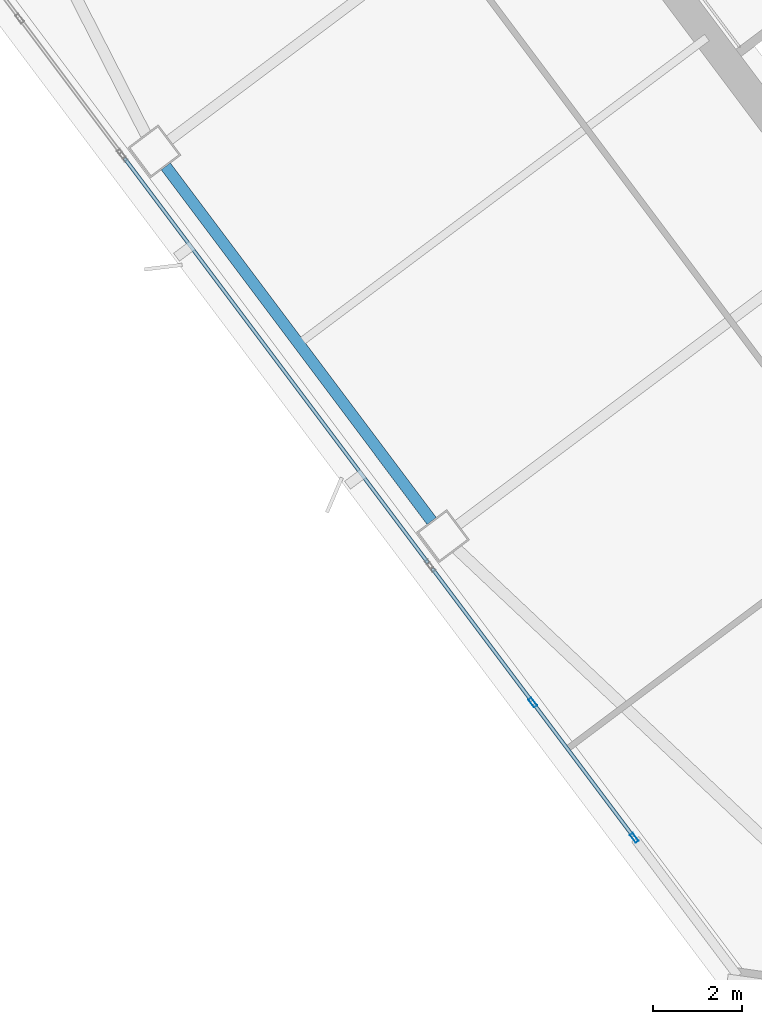
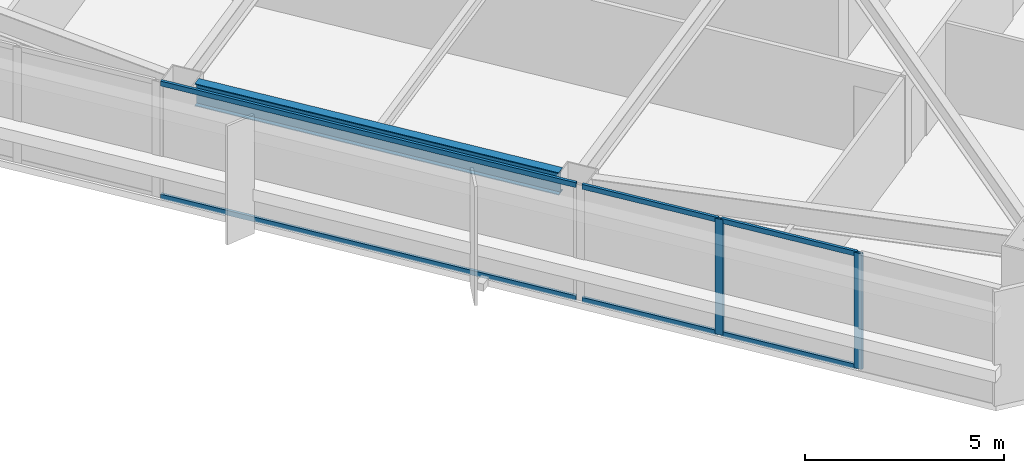
# One storey, part 19 of 49: 8 members, 1 beam, 2 elements without a shape of their own.
"""IFC4 building model written with IfcOpenShell, lengths in metres."""

from ifc_helpers import new_model, si_unit, direction, frame, origin, origin_2d, place, context, subcontext, project, spatial, hollow_rectangle, i_section, extrude, material, material_profile, profile_set, type_object, element, aggregate, save


model = new_model("IFC4")

# Units and contexts
model_context = context("Model", 3, precision=1e-05, world=origin(), true_north=direction((0.0, 1.0)))
body_context = subcontext(model_context, "Body", "Model", "MODEL_VIEW")
ifc_project = project(units=[si_unit("LENGTHUNIT", "METRE"), si_unit("AREAUNIT", "SQUARE_METRE"), si_unit("VOLUMEUNIT", "CUBIC_METRE"), si_unit("PLANEANGLEUNIT", "RADIAN"), si_unit("MASSUNIT", "GRAM", prefix="KILO")], contexts=[model_context])

# Site, building, storey
site_placement = place(None, origin())
site = spatial("IfcSite", under=ifc_project, at=site_placement, CompositionType="ELEMENT")
building_placement = place(site_placement, origin())
building = spatial("IfcBuilding", under=site, at=building_placement, Name="Tashvorn Skyway Center", CompositionType="ELEMENT")
storey_placement = place(building_placement, frame((0.0, 0.0, 70.75)))
storey = spatial("IfcBuildingStorey", under=building, at=storey_placement, Name="L18", CompositionType="ELEMENT", Elevation=70.75)

# Beam
ifc_material_1 = material(Name="Steel ASTM A992 Grade 50", Category="steel")
ifc_material_profile_1 = material_profile(ifc_material_1, i_section(OverallWidth=0.256103515625, OverallDepth=0.693115234375, WebThickness=0.014404296875, FlangeThickness=0.023681640625, at=origin_2d()), Name="W27X114")
ifc_profile_set_1 = profile_set([ifc_material_profile_1], Name="Steel ASTM A992 Grade 50")
beam_type = type_object("IfcBeamType", Name="BM-SPANDREL-W27X114", PredefinedType="SPANDREL", material=ifc_profile_set_1)
beam_placement = place(storey_placement, frame((95.612060546875, 24.43408203125, 3.00341796875), z_axis=(0.599988234018, -0.800008824351, 0.0), x_axis=(0.800008824351, 0.599988234018, 0.0)))
element("IfcBeam", 1, at=beam_placement, inside=storey, type_object=beam_type, Name="Tower 2 L18 Spandrel Beam 11", PredefinedType="SPANDREL", context=body_context, shape_type="SweptSolid", body=[
    extrude(i_section(OverallWidth=0.256103515625, OverallDepth=0.693115234375, WebThickness=0.014404296875, FlangeThickness=0.023681640625, at=origin_2d()), origin(), (0.0, 0.0, 1.0), 9.9599609375),
])

# Curtain wall, members
ifc_material_2 = material(Name="Thermally broken bronze-anodized aluminium 6063-T6", Category="aluminium")
curtain_wall_type = type_object("IfcCurtainWallType", Name="CW-CW-Z2", PredefinedType="NOTDEFINED", material=ifc_material_2)
curtain_wall_1_placement = place(storey_placement, origin())
curtain_wall_1 = element("IfcCurtainWall", 2, at=curtain_wall_1_placement, inside=storey, type_object=curtain_wall_type, Name="Tower 2 L18 West Unitised Curtain Wall Glazing Group 1", PredefinedType="NOTDEFINED")
ifc_material_profile_2 = material_profile(ifc_material_2, hollow_rectangle(XDim=0.080078125, YDim=0.219970703125, WallThickness=0.0048828125, at=origin_2d()), Name="ALU-MULL-80x220")
ifc_profile_set_2 = profile_set([ifc_material_profile_2], Name="Thermally broken bronze-anodized aluminium 6063-T6")
member_type_1 = type_object("IfcMemberType", Name="CWM-CW-Z2", PredefinedType="MULLION", material=ifc_profile_set_2)
member_1_placement = place(storey_placement, frame((106.135986328125, 9.35205078125, 0.0), z_axis=(0.0, 0.0, 1.0), x_axis=(-0.799999999998, -0.600000000002, 0.0)))
member_1 = element("IfcMember", 3, at=member_1_placement, type_object=member_type_1, Name="CW-Z2 mullion 1", PredefinedType="MULLION", context=body_context, shape_type="SweptSolid", body=[
    extrude(hollow_rectangle(XDim=0.080078125, YDim=0.219970703125, WallThickness=0.0048828125, at=origin_2d()), origin(), (0.0, 0.0, 1.0), 3.550048828125),
])
member_2_placement = place(storey_placement, frame((103.85595703125, 12.39208984375, 0.0), z_axis=(0.0, 0.0, 1.0), x_axis=(-0.799999999998, -0.600000000002, 0.0)))
member_2 = element("IfcMember", 4, at=member_2_placement, type_object=member_type_1, Name="CW-Z2 mullion 2", PredefinedType="MULLION", context=body_context, shape_type="SweptSolid", body=[
    extrude(hollow_rectangle(XDim=0.080078125, YDim=0.219970703125, WallThickness=0.0048828125, at=origin_2d()), origin(), (0.0, 0.0, 1.0), 3.550048828125),
])
ifc_material_profile_3 = material_profile(ifc_material_2, hollow_rectangle(XDim=0.080078125, YDim=0.14990234375, WallThickness=0.00439453125, at=origin_2d()), Name="ALU-TRAN-80x150")
ifc_profile_set_3 = profile_set([ifc_material_profile_3], Name="Thermally broken bronze-anodized aluminium 6063-T6")
member_type_2 = type_object("IfcMemberType", Name="CWT-CW-Z2", PredefinedType="USERDEFINED", material=ifc_profile_set_3)
member_3_placement = place(storey_placement, frame((106.112060546875, 9.384033203125, 0.0400390625), z_axis=(-0.6000210002, 0.799984249419, 0.0), x_axis=(-0.799984249419, -0.6000210002, 0.0)))
member_3 = element("IfcMember", 5, at=member_3_placement, type_object=member_type_2, Name="CW-Z2 transom 1.1", ObjectType="TRANSOM", PredefinedType="USERDEFINED", context=body_context, shape_type="SweptSolid", body=[
    extrude(hollow_rectangle(XDim=0.080078125, YDim=0.14990234375, WallThickness=0.00439453125, at=origin_2d()), origin(), (0.0, 0.0, 1.0), 3.72021484375),
])
member_4_placement = place(storey_placement, frame((106.112060546875, 9.384033203125, 3.510009765625), z_axis=(-0.6000210002, 0.799984249419, 0.0), x_axis=(-0.799984249419, -0.6000210002, 0.0)))
member_4 = element("IfcMember", 6, at=member_4_placement, type_object=member_type_2, Name="CW-Z2 transom 1.2", ObjectType="TRANSOM", PredefinedType="USERDEFINED", context=body_context, shape_type="SweptSolid", body=[
    extrude(hollow_rectangle(XDim=0.080078125, YDim=0.14990234375, WallThickness=0.00439453125, at=origin_2d()), origin(), (0.0, 0.0, 1.0), 3.72021484375),
])
member_5_placement = place(storey_placement, frame((103.83203125, 12.424072265625, 0.0400390625), z_axis=(-0.600010501117, 0.799992124055, 0.0), x_axis=(-0.799992124055, -0.600010501117, 0.0)))
member_5 = element("IfcMember", 7, at=member_5_placement, type_object=member_type_2, Name="CW-Z2 transom 2.1", ObjectType="TRANSOM", PredefinedType="USERDEFINED", context=body_context, shape_type="SweptSolid", body=[
    extrude(hollow_rectangle(XDim=0.080078125, YDim=0.14990234375, WallThickness=0.00439453125, at=origin_2d()), origin(), (0.0, 0.0, 1.0), 3.7197265625),
])
member_6_placement = place(storey_placement, frame((103.83203125, 12.424072265625, 3.510009765625), z_axis=(-0.600010501117, 0.799992124055, 0.0), x_axis=(-0.799992124055, -0.600010501117, 0.0)))
member_6 = element("IfcMember", 8, at=member_6_placement, type_object=member_type_2, Name="CW-Z2 transom 2.2", ObjectType="TRANSOM", PredefinedType="USERDEFINED", context=body_context, shape_type="SweptSolid", body=[
    extrude(hollow_rectangle(XDim=0.080078125, YDim=0.14990234375, WallThickness=0.00439453125, at=origin_2d()), origin(), (0.0, 0.0, 1.0), 3.7197265625),
])
aggregate(curtain_wall_1, [member_1, member_2, member_3, member_4, member_5, member_6])

curtain_wall_2_placement = place(storey_placement, origin())
curtain_wall_2 = element("IfcCurtainWall", 9, at=curtain_wall_2_placement, inside=storey, type_object=curtain_wall_type, Name="Tower 2 L18 West Unitised Curtain Wall Glazing Group 2", PredefinedType="NOTDEFINED")
member_7_placement = place(storey_placement, frame((101.50390625, 15.528076171875, 0.0400390625), z_axis=(-0.6, 0.8, 0.0), x_axis=(-0.8, -0.6, 0.0)))
member_7 = element("IfcMember", 10, at=member_7_placement, type_object=member_type_2, Name="CW-Z2 transom 1.1", ObjectType="TRANSOM", PredefinedType="USERDEFINED", context=body_context, shape_type="SweptSolid", body=[
    extrude(hollow_rectangle(XDim=0.080078125, YDim=0.14990234375, WallThickness=0.00439453125, at=origin_2d()), origin(), (0.0, 0.0, 1.0), 11.35986328125),
])
member_8_placement = place(storey_placement, frame((101.50390625, 15.528076171875, 3.510009765625), z_axis=(-0.6, 0.8, 0.0), x_axis=(-0.8, -0.6, 0.0)))
member_8 = element("IfcMember", 11, at=member_8_placement, type_object=member_type_2, Name="CW-Z2 transom 1.2", ObjectType="TRANSOM", PredefinedType="USERDEFINED", context=body_context, shape_type="SweptSolid", body=[
    extrude(hollow_rectangle(XDim=0.080078125, YDim=0.14990234375, WallThickness=0.00439453125, at=origin_2d()), origin(), (0.0, 0.0, 1.0), 11.35986328125),
])
aggregate(curtain_wall_2, [member_7, member_8])

save(model, "model.ifc")
